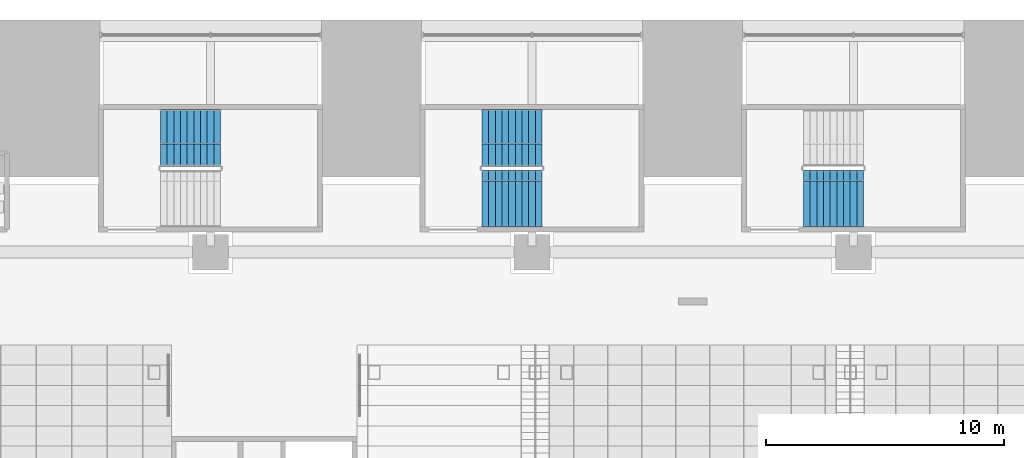
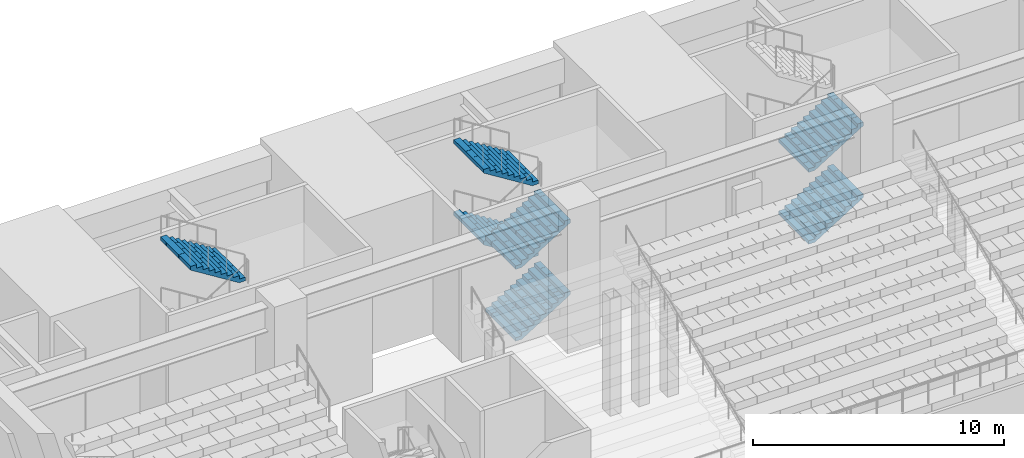
# One storey, part 50 of 62: 7 stair flights, 3 elements without a shape of their own.
"""IFC4 building model written with IfcOpenShell, lengths in metres."""

import ifcopenshell
import ifcopenshell.guid

model = None  # the IFC model being written
_history = None  # IfcOwnerHistory: only IFC2X3 demands one
_inside = {}  # id of a spatial element -> (the spatial element, [elements in it])
_under = {}  # id of a project, library or spatial element -> (it, [spatial elements below it])
_declared = {}  # id of a project -> (the project, [libraries it declares])
_typed = {}  # id of a type object -> (the type object, [elements of that type])
_made_of = {}  # id of a material, layer set ... -> (it, [elements and type objects made of it])


def new_model(schema):
    """Start an empty IFC model of exactly this schema.

    Asked for "IFC4X3", IfcOpenShell would pick the latest addendum, in which some entities
    have other attributes; the version numbers below select the first issue.
    IFC2X3 requires an IfcOwnerHistory on every rooted entity: one is made here for all.
    """
    global model, _history
    if schema == "IFC4X3":
        model = ifcopenshell.file(schema_version=(4, 3, 0, 0))
    else:
        model = ifcopenshell.file(schema=schema)
    _inside.clear()
    _under.clear()
    _declared.clear()
    _typed.clear()
    _made_of.clear()
    _history = None
    if model.schema == "IFC2X3":
        org = make("IfcOrganization", Name="unknown")
        user = make(
            "IfcPersonAndOrganization",
            ThePerson=make("IfcPerson", FamilyName="unknown"),
            TheOrganization=org,
        )
        app = make(
            "IfcApplication",
            ApplicationDeveloper=org,
            Version="unknown",
            ApplicationFullName="unknown",
            ApplicationIdentifier="unknown",
        )
        _history = make(
            "IfcOwnerHistory",
            OwningUser=user,
            OwningApplication=app,
            ChangeAction="ADDED",
            CreationDate=0,
        )
    return model


def make(cls, **values):
    """One entity of the class cls with the attributes given. An attribute that is None is left unset."""
    return model.create_entity(
        cls, **{name: value for name, value in values.items() if value is not None}
    )


def rooted(cls, **values):
    """An entity with a GlobalId (a new one), such as an element, a storey or a relation."""
    return make(cls, GlobalId=ifcopenshell.guid.new(), OwnerHistory=_history, **values)


def si_unit(unit_type, name, prefix=None):
    """IfcSIUnit, for example si_unit("LENGTHUNIT", "METRE", prefix="MILLI")."""
    return make("IfcSIUnit", UnitType=unit_type, Prefix=prefix, Name=name)


def assignment(units):
    """IfcUnitAssignment: the units of a project."""
    return None if units is None else make("IfcUnitAssignment", Units=units)


def point(xyz):
    """IfcCartesianPoint."""
    return None if xyz is None else make("IfcCartesianPoint", Coordinates=xyz)


def direction(xyz):
    """IfcDirection."""
    return None if xyz is None else make("IfcDirection", DirectionRatios=xyz)


def frame(location, z_axis=None, x_axis=None):
    """IfcAxis2Placement3D, a coordinate frame: its origin and axes. An axis left out is left unset."""
    return make(
        "IfcAxis2Placement3D",
        Location=point(location),
        Axis=direction(z_axis),
        RefDirection=direction(x_axis),
    )


def origin():
    """The frame at (0, 0, 0) with its axes left unset."""
    return frame((0.0, 0.0, 0.0))


def place(relative_to, where):
    """IfcLocalPlacement: puts the frame where relative to a parent placement (None: the world)."""
    return make(
        "IfcLocalPlacement", PlacementRelTo=relative_to, RelativePlacement=where
    )


def context(
    kind, dimensions, precision=None, world=None, true_north=None, identifier=None
):
    """IfcGeometricRepresentationContext, for example the 3D "Model" context."""
    return make(
        "IfcGeometricRepresentationContext",
        ContextIdentifier=identifier,
        ContextType=kind,
        CoordinateSpaceDimension=dimensions,
        Precision=precision,
        WorldCoordinateSystem=world,
        TrueNorth=true_north,
    )


def subcontext(parent, identifier, kind, view, scale=None):
    """IfcGeometricRepresentationSubContext, for example "Body" below "Model"."""
    return make(
        "IfcGeometricRepresentationSubContext",
        ContextIdentifier=identifier,
        ContextType=kind,
        ParentContext=parent,
        TargetScale=scale,
        TargetView=view,
    )


def project(units=None, contexts=None):
    """IfcProject with its units and contexts."""
    return rooted(
        "IfcProject",
        Name="project",
        RepresentationContexts=contexts,
        UnitsInContext=assignment(units),
    )


def spatial(cls, under=None, at=None, **own):
    """A site, building, storey or space (cls), placed at a placement, below another one or the project."""
    s = rooted(cls, ObjectPlacement=at, **own)
    if under is not None:
        _under.setdefault(under.id(), (under, []))[1].append(s)
    return s


def polyline(points):
    """IfcPolyline through the points."""
    return make("IfcPolyline", Points=[point(p) for p in points])


def outline(outer, holes=None, kind="AREA"):
    """IfcArbitraryClosedProfileDef: a profile drawn as a closed curve; with holes, ...WithVoids."""
    if holes is None:
        return make("IfcArbitraryClosedProfileDef", ProfileType=kind, OuterCurve=outer)
    return make(
        "IfcArbitraryProfileDefWithVoids",
        ProfileType=kind,
        OuterCurve=outer,
        InnerCurves=holes,
    )


def extrude(swept, where, along, depth):
    """IfcExtrudedAreaSolid: the profile swept, set in the frame where, extruded along a direction by depth."""
    return make(
        "IfcExtrudedAreaSolid",
        SweptArea=swept,
        Position=where,
        ExtrudedDirection=direction(along),
        Depth=depth,
    )


def shape(context_of_items, identifier, shape_type, items):
    """IfcShapeRepresentation: the items that make up one representation, for example the "Body"."""
    return make(
        "IfcShapeRepresentation",
        ContextOfItems=context_of_items,
        RepresentationIdentifier=identifier,
        RepresentationType=shape_type,
        Items=items,
    )


def material(Name=None, Category=None):
    """IfcMaterial."""
    return make("IfcMaterial", Name=Name, Category=Category)


def made_of(thing, what):
    """Note that an element or type object is made of a material, layer set ...; save() writes the relation."""
    if what is not None:
        _made_of.setdefault(what.id(), (what, []))[1].append(thing)
    return thing


def type_object(cls, material=None, **own):
    """A type object (cls), such as IfcWallType, which elements share."""
    return made_of(rooted(cls, **own), material)


def element(
    cls,
    number,
    at=None,
    inside=None,
    cuts=None,
    type_object=None,
    material=None,
    context=None,
    identifier="Body",
    shape_type=None,
    held_by="IfcProductDefinitionShape",
    body=None,
    shapes=None,
    **own,
):
    """One element of the class cls, such as IfcWall. Its Tag is "e" and its number.

    at: its placement. inside: the storey or other place that contains it. cuts: it is an
    opening in that element (IfcRelVoidsElement). A single representation is given by context,
    identifier, shape_type and body (its items); several are given by shapes. held_by: the class
    of the entity that holds the representations. save() writes the other relations.
    """
    e = rooted(cls, Tag="e%d" % number, ObjectPlacement=at, **own)
    if body is not None:
        shapes = [shape(context, identifier, shape_type, body)]
    if shapes is not None:
        e.Representation = make(held_by, Representations=shapes)
    if inside is not None:
        _inside.setdefault(inside.id(), (inside, []))[1].append(e)
    if cuts is not None:
        rooted(
            "IfcRelVoidsElement", RelatingBuildingElement=cuts, RelatedOpeningElement=e
        )
    if type_object is not None:
        _typed.setdefault(type_object.id(), (type_object, []))[1].append(e)
    return made_of(e, material)


def aggregate(whole, parts):
    """IfcRelAggregates: a whole, such as a stair, and the parts it consists of."""
    return rooted("IfcRelAggregates", RelatingObject=whole, RelatedObjects=parts)


def save(model, path):
    """Write the relations noted so far, then the file.

    IfcRelAggregates (storeys below a building ...), IfcRelContainedInSpatialStructure (elements
    in a storey), IfcRelDefinesByType, IfcRelAssociatesMaterial and IfcRelDeclares: one each for
    every whole, place, type object, material and project.
    """
    for whole, parts in _under.values():
        aggregate(whole, parts)
    for where, things in _inside.values():
        rooted(
            "IfcRelContainedInSpatialStructure",
            RelatedElements=things,
            RelatingStructure=where,
        )
    for kind, things in _typed.values():
        rooted("IfcRelDefinesByType", RelatedObjects=things, RelatingType=kind)
    for what, things in _made_of.values():
        rooted("IfcRelAssociatesMaterial", RelatedObjects=things, RelatingMaterial=what)
    for by, libraries in _declared.values():
        rooted("IfcRelDeclares", RelatingContext=by, RelatedDefinitions=libraries)
    model.write(path)


model = new_model("IFC4")

# Units and contexts
model_context = context("Model", 3, precision=1e-05, world=origin(), true_north=direction((0.0, 1.0)))
body_context = subcontext(model_context, "Body", "Model", "MODEL_VIEW")
ifc_project = project(units=[si_unit("LENGTHUNIT", "METRE"), si_unit("AREAUNIT", "SQUARE_METRE"), si_unit("VOLUMEUNIT", "CUBIC_METRE"), si_unit("PLANEANGLEUNIT", "RADIAN"), si_unit("MASSUNIT", "GRAM", prefix="KILO")], contexts=[model_context])

# Site, building, storey
site_placement = place(None, origin())
site = spatial("IfcSite", under=ifc_project, at=site_placement, CompositionType="ELEMENT")
building_placement = place(site_placement, origin())
building = spatial("IfcBuilding", under=site, at=building_placement, Name="Corbelhall Arena Tower", CompositionType="ELEMENT")
storey_placement = place(building_placement, frame((0.0, 0.0, 12.0)))
storey = spatial("IfcBuildingStorey", under=building, at=storey_placement, Name="L01", CompositionType="ELEMENT", Elevation=12.0)

# Stair, stair flight
ifc_material = material(Name="Reinforced concrete C40/50", Category="concrete")
stair_type = type_object("IfcStairType", Name="AR-EXIT-STAIR", PredefinedType="HALF_TURN_STAIR", material=ifc_material)
stair_1_placement = place(storey_placement, origin())
stair_1 = element("IfcStair", 1, at=stair_1_placement, inside=storey, type_object=stair_type, Name="L01 exit stair AS9", PredefinedType="HALF_TURN_STAIR")
stair_flight_type = type_object("IfcStairFlightType", Name="AR-EXIT-FLIGHT", PredefinedType="STRAIGHT", material=ifc_material)
stair_flight_1_placement = place(storey_placement, frame((-19.830078125, 34.050048828125, 5.25), z_axis=(0.0, 0.0, 1.0), x_axis=(-1.0, 0.0, 0.0)))
stair_flight_1 = element("IfcStairFlight", 2, at=stair_flight_1_placement, type_object=stair_flight_type, Name="AS9 flight 4", NumberOfRisers=10, NumberOfTreads=9, PredefinedType="STRAIGHT", RiserHeight=0.175, TreadLength=0.28, context=body_context, shape_type="SweptSolid", body=[
    extrude(outline(polyline([(0.0, 0.0), (0.0, 0.175048828125), (0.280029296875, 0.175048828125), (0.280029296875, 0.35009765625), (0.56005859375, 0.35009765625), (0.56005859375, 0.52490234375), (0.840087890625, 0.52490234375), (0.840087890625, 0.699951171875), (1.1201171875, 0.699951171875), (1.1201171875, 0.875), (1.39990234375, 0.875), (1.39990234375, 1.050048828125), (1.679931640625, 1.050048828125), (1.679931640625, 1.22509765625), (1.9599609375, 1.22509765625), (1.9599609375, 1.39990234375), (2.239990234375, 1.39990234375), (2.239990234375, 1.574951171875), (2.52001953125, 1.574951171875), (2.52001953125, 1.75), (2.52001953125, 1.398193359375), (0.28271484375, 0.0), (0.0, 0.0)])), frame((0.0, 1.199951171875, 0.0), z_axis=(0.0, -1.0, 0.0), x_axis=(1.0, 0.0, 0.0)), (0.0, 0.0, 1.0), 0.449951171875),
    extrude(outline(polyline([(0.0, 0.0), (0.0, 0.175048828125), (0.280029296875, 0.175048828125), (0.280029296875, 0.35009765625), (0.56005859375, 0.35009765625), (0.56005859375, 0.52490234375), (0.840087890625, 0.52490234375), (0.840087890625, 0.699951171875), (1.1201171875, 0.699951171875), (1.1201171875, 0.875), (1.39990234375, 0.875), (1.39990234375, 1.050048828125), (1.679931640625, 1.050048828125), (1.679931640625, 1.22509765625), (1.9599609375, 1.22509765625), (1.9599609375, 1.39990234375), (2.239990234375, 1.39990234375), (2.239990234375, 1.574951171875), (2.52001953125, 1.574951171875), (2.52001953125, 1.75), (2.52001953125, 1.398193359375), (0.28271484375, 0.0), (0.0, 0.0)])), frame((0.0, 0.745849609375, 0.0), z_axis=(0.0, -1.0, 0.0), x_axis=(1.0, 0.0, 0.0)), (0.0, 0.0, 1.0), 0.49462890625),
    extrude(outline(polyline([(0.0, 0.0), (0.0, 0.175048828125), (0.280029296875, 0.175048828125), (0.280029296875, 0.35009765625), (0.56005859375, 0.35009765625), (0.56005859375, 0.52490234375), (0.840087890625, 0.52490234375), (0.840087890625, 0.699951171875), (1.1201171875, 0.699951171875), (1.1201171875, 0.875), (1.39990234375, 0.875), (1.39990234375, 1.050048828125), (1.679931640625, 1.050048828125), (1.679931640625, 1.22509765625), (1.9599609375, 1.22509765625), (1.9599609375, 1.39990234375), (2.239990234375, 1.39990234375), (2.239990234375, 1.574951171875), (2.52001953125, 1.574951171875), (2.52001953125, 1.75), (2.52001953125, 1.398193359375), (0.28271484375, 0.0), (0.0, 0.0)])), frame((0.0, 0.247314453125, 0.0), z_axis=(0.0, -1.0, 0.0), x_axis=(1.0, 0.0, 0.0)), (0.0, 0.0, 1.0), 0.49462890625),
    extrude(outline(polyline([(0.0, 0.0), (0.0, 0.175048828125), (0.280029296875, 0.175048828125), (0.280029296875, 0.35009765625), (0.56005859375, 0.35009765625), (0.56005859375, 0.52490234375), (0.840087890625, 0.52490234375), (0.840087890625, 0.699951171875), (1.1201171875, 0.699951171875), (1.1201171875, 0.875), (1.39990234375, 0.875), (1.39990234375, 1.050048828125), (1.679931640625, 1.050048828125), (1.679931640625, 1.22509765625), (1.9599609375, 1.22509765625), (1.9599609375, 1.39990234375), (2.239990234375, 1.39990234375), (2.239990234375, 1.574951171875), (2.52001953125, 1.574951171875), (2.52001953125, 1.75), (2.52001953125, 1.398193359375), (0.28271484375, 0.0), (0.0, 0.0)])), frame((0.0, -0.251220703125, 0.0), z_axis=(0.0, -1.0, 0.0), x_axis=(1.0, 0.0, 0.0)), (0.0, 0.0, 1.0), 0.49462890625),
    extrude(outline(polyline([(0.0, 0.0), (0.0, 0.175048828125), (0.280029296875, 0.175048828125), (0.280029296875, 0.35009765625), (0.56005859375, 0.35009765625), (0.56005859375, 0.52490234375), (0.840087890625, 0.52490234375), (0.840087890625, 0.699951171875), (1.1201171875, 0.699951171875), (1.1201171875, 0.875), (1.39990234375, 0.875), (1.39990234375, 1.050048828125), (1.679931640625, 1.050048828125), (1.679931640625, 1.22509765625), (1.9599609375, 1.22509765625), (1.9599609375, 1.39990234375), (2.239990234375, 1.39990234375), (2.239990234375, 1.574951171875), (2.52001953125, 1.574951171875), (2.52001953125, 1.75), (2.52001953125, 1.398193359375), (0.28271484375, 0.0), (0.0, 0.0)])), frame((0.0, -0.75, 0.0), z_axis=(0.0, -1.0, 0.0), x_axis=(1.0, 0.0, 0.0)), (0.0, 0.0, 1.0), 0.449951171875),
])
aggregate(stair_1, [stair_flight_1])

# Stair, stair flights
stair_2_placement = place(storey_placement, origin())
stair_2 = element("IfcStair", 3, at=stair_2_placement, inside=storey, type_object=stair_type, Name="L01 exit stair AS10", PredefinedType="HALF_TURN_STAIR")
stair_flight_2_placement = place(storey_placement, frame((-8.85009765625, 31.5, 0.0), z_axis=(0.0, 0.0, 1.0), x_axis=(1.0, 0.0, 0.0)))
stair_flight_2 = element("IfcStairFlight", 4, at=stair_flight_2_placement, type_object=stair_flight_type, Name="AS10 flight 1", NumberOfRisers=10, NumberOfTreads=9, PredefinedType="STRAIGHT", RiserHeight=0.175, TreadLength=0.28, context=body_context, shape_type="SweptSolid", body=[
    extrude(outline(polyline([(0.0, 0.0), (0.0, 0.175048828125), (0.280029296875, 0.175048828125), (0.280029296875, 0.35009765625), (0.56005859375, 0.35009765625), (0.56005859375, 0.52490234375), (0.840087890625, 0.52490234375), (0.840087890625, 0.699951171875), (1.1201171875, 0.699951171875), (1.1201171875, 0.875), (1.39990234375, 0.875), (1.39990234375, 1.050048828125), (1.679931640625, 1.050048828125), (1.679931640625, 1.22509765625), (1.9599609375, 1.22509765625), (1.9599609375, 1.39990234375), (2.239990234375, 1.39990234375), (2.239990234375, 1.574951171875), (2.52001953125, 1.574951171875), (2.52001953125, 1.75), (2.52001953125, 1.398193359375), (0.28271484375, 0.0), (0.0, 0.0)])), frame((0.0, 1.199951171875, 0.0), z_axis=(0.0, -1.0, 0.0), x_axis=(1.0, 0.0, 0.0)), (0.0, 0.0, 1.0), 0.449951171875),
    extrude(outline(polyline([(0.0, 0.0), (0.0, 0.175048828125), (0.280029296875, 0.175048828125), (0.280029296875, 0.35009765625), (0.56005859375, 0.35009765625), (0.56005859375, 0.52490234375), (0.840087890625, 0.52490234375), (0.840087890625, 0.699951171875), (1.1201171875, 0.699951171875), (1.1201171875, 0.875), (1.39990234375, 0.875), (1.39990234375, 1.050048828125), (1.679931640625, 1.050048828125), (1.679931640625, 1.22509765625), (1.9599609375, 1.22509765625), (1.9599609375, 1.39990234375), (2.239990234375, 1.39990234375), (2.239990234375, 1.574951171875), (2.52001953125, 1.574951171875), (2.52001953125, 1.75), (2.52001953125, 1.398193359375), (0.28271484375, 0.0), (0.0, 0.0)])), frame((0.0, 0.745849609375, 0.0), z_axis=(0.0, -1.0, 0.0), x_axis=(1.0, 0.0, 0.0)), (0.0, 0.0, 1.0), 0.49462890625),
    extrude(outline(polyline([(0.0, 0.0), (0.0, 0.175048828125), (0.280029296875, 0.175048828125), (0.280029296875, 0.35009765625), (0.56005859375, 0.35009765625), (0.56005859375, 0.52490234375), (0.840087890625, 0.52490234375), (0.840087890625, 0.699951171875), (1.1201171875, 0.699951171875), (1.1201171875, 0.875), (1.39990234375, 0.875), (1.39990234375, 1.050048828125), (1.679931640625, 1.050048828125), (1.679931640625, 1.22509765625), (1.9599609375, 1.22509765625), (1.9599609375, 1.39990234375), (2.239990234375, 1.39990234375), (2.239990234375, 1.574951171875), (2.52001953125, 1.574951171875), (2.52001953125, 1.75), (2.52001953125, 1.398193359375), (0.28271484375, 0.0), (0.0, 0.0)])), frame((0.0, 0.247314453125, 0.0), z_axis=(0.0, -1.0, 0.0), x_axis=(1.0, 0.0, 0.0)), (0.0, 0.0, 1.0), 0.49462890625),
    extrude(outline(polyline([(0.0, 0.0), (0.0, 0.175048828125), (0.280029296875, 0.175048828125), (0.280029296875, 0.35009765625), (0.56005859375, 0.35009765625), (0.56005859375, 0.52490234375), (0.840087890625, 0.52490234375), (0.840087890625, 0.699951171875), (1.1201171875, 0.699951171875), (1.1201171875, 0.875), (1.39990234375, 0.875), (1.39990234375, 1.050048828125), (1.679931640625, 1.050048828125), (1.679931640625, 1.22509765625), (1.9599609375, 1.22509765625), (1.9599609375, 1.39990234375), (2.239990234375, 1.39990234375), (2.239990234375, 1.574951171875), (2.52001953125, 1.574951171875), (2.52001953125, 1.75), (2.52001953125, 1.398193359375), (0.28271484375, 0.0), (0.0, 0.0)])), frame((0.0, -0.251220703125, 0.0), z_axis=(0.0, -1.0, 0.0), x_axis=(1.0, 0.0, 0.0)), (0.0, 0.0, 1.0), 0.49462890625),
    extrude(outline(polyline([(0.0, 0.0), (0.0, 0.175048828125), (0.280029296875, 0.175048828125), (0.280029296875, 0.35009765625), (0.56005859375, 0.35009765625), (0.56005859375, 0.52490234375), (0.840087890625, 0.52490234375), (0.840087890625, 0.699951171875), (1.1201171875, 0.699951171875), (1.1201171875, 0.875), (1.39990234375, 0.875), (1.39990234375, 1.050048828125), (1.679931640625, 1.050048828125), (1.679931640625, 1.22509765625), (1.9599609375, 1.22509765625), (1.9599609375, 1.39990234375), (2.239990234375, 1.39990234375), (2.239990234375, 1.574951171875), (2.52001953125, 1.574951171875), (2.52001953125, 1.75), (2.52001953125, 1.398193359375), (0.28271484375, 0.0), (0.0, 0.0)])), frame((0.0, -0.75, 0.0), z_axis=(0.0, -1.0, 0.0), x_axis=(1.0, 0.0, 0.0)), (0.0, 0.0, 1.0), 0.449951171875),
])
stair_flight_3_placement = place(storey_placement, frame((-6.330078125, 34.050048828125, 1.75), z_axis=(0.0, 0.0, 1.0), x_axis=(-1.0, 0.0, 0.0)))
stair_flight_3 = element("IfcStairFlight", 5, at=stair_flight_3_placement, type_object=stair_flight_type, Name="AS10 flight 2", NumberOfRisers=10, NumberOfTreads=9, PredefinedType="STRAIGHT", RiserHeight=0.175, TreadLength=0.28, context=body_context, shape_type="SweptSolid", body=[
    extrude(outline(polyline([(0.0, 0.0), (0.0, 0.175048828125), (0.280029296875, 0.175048828125), (0.280029296875, 0.35009765625), (0.56005859375, 0.35009765625), (0.56005859375, 0.52490234375), (0.840087890625, 0.52490234375), (0.840087890625, 0.699951171875), (1.1201171875, 0.699951171875), (1.1201171875, 0.875), (1.39990234375, 0.875), (1.39990234375, 1.050048828125), (1.679931640625, 1.050048828125), (1.679931640625, 1.22509765625), (1.9599609375, 1.22509765625), (1.9599609375, 1.39990234375), (2.239990234375, 1.39990234375), (2.239990234375, 1.574951171875), (2.52001953125, 1.574951171875), (2.52001953125, 1.75), (2.52001953125, 1.398193359375), (0.28271484375, 0.0), (0.0, 0.0)])), frame((0.0, 1.199951171875, 0.0), z_axis=(0.0, -1.0, 0.0), x_axis=(1.0, 0.0, 0.0)), (0.0, 0.0, 1.0), 0.449951171875),
    extrude(outline(polyline([(0.0, 0.0), (0.0, 0.175048828125), (0.280029296875, 0.175048828125), (0.280029296875, 0.35009765625), (0.56005859375, 0.35009765625), (0.56005859375, 0.52490234375), (0.840087890625, 0.52490234375), (0.840087890625, 0.699951171875), (1.1201171875, 0.699951171875), (1.1201171875, 0.875), (1.39990234375, 0.875), (1.39990234375, 1.050048828125), (1.679931640625, 1.050048828125), (1.679931640625, 1.22509765625), (1.9599609375, 1.22509765625), (1.9599609375, 1.39990234375), (2.239990234375, 1.39990234375), (2.239990234375, 1.574951171875), (2.52001953125, 1.574951171875), (2.52001953125, 1.75), (2.52001953125, 1.398193359375), (0.28271484375, 0.0), (0.0, 0.0)])), frame((0.0, 0.745849609375, 0.0), z_axis=(0.0, -1.0, 0.0), x_axis=(1.0, 0.0, 0.0)), (0.0, 0.0, 1.0), 0.49462890625),
    extrude(outline(polyline([(0.0, 0.0), (0.0, 0.175048828125), (0.280029296875, 0.175048828125), (0.280029296875, 0.35009765625), (0.56005859375, 0.35009765625), (0.56005859375, 0.52490234375), (0.840087890625, 0.52490234375), (0.840087890625, 0.699951171875), (1.1201171875, 0.699951171875), (1.1201171875, 0.875), (1.39990234375, 0.875), (1.39990234375, 1.050048828125), (1.679931640625, 1.050048828125), (1.679931640625, 1.22509765625), (1.9599609375, 1.22509765625), (1.9599609375, 1.39990234375), (2.239990234375, 1.39990234375), (2.239990234375, 1.574951171875), (2.52001953125, 1.574951171875), (2.52001953125, 1.75), (2.52001953125, 1.398193359375), (0.28271484375, 0.0), (0.0, 0.0)])), frame((0.0, 0.247314453125, 0.0), z_axis=(0.0, -1.0, 0.0), x_axis=(1.0, 0.0, 0.0)), (0.0, 0.0, 1.0), 0.49462890625),
    extrude(outline(polyline([(0.0, 0.0), (0.0, 0.175048828125), (0.280029296875, 0.175048828125), (0.280029296875, 0.35009765625), (0.56005859375, 0.35009765625), (0.56005859375, 0.52490234375), (0.840087890625, 0.52490234375), (0.840087890625, 0.699951171875), (1.1201171875, 0.699951171875), (1.1201171875, 0.875), (1.39990234375, 0.875), (1.39990234375, 1.050048828125), (1.679931640625, 1.050048828125), (1.679931640625, 1.22509765625), (1.9599609375, 1.22509765625), (1.9599609375, 1.39990234375), (2.239990234375, 1.39990234375), (2.239990234375, 1.574951171875), (2.52001953125, 1.574951171875), (2.52001953125, 1.75), (2.52001953125, 1.398193359375), (0.28271484375, 0.0), (0.0, 0.0)])), frame((0.0, -0.251220703125, 0.0), z_axis=(0.0, -1.0, 0.0), x_axis=(1.0, 0.0, 0.0)), (0.0, 0.0, 1.0), 0.49462890625),
    extrude(outline(polyline([(0.0, 0.0), (0.0, 0.175048828125), (0.280029296875, 0.175048828125), (0.280029296875, 0.35009765625), (0.56005859375, 0.35009765625), (0.56005859375, 0.52490234375), (0.840087890625, 0.52490234375), (0.840087890625, 0.699951171875), (1.1201171875, 0.699951171875), (1.1201171875, 0.875), (1.39990234375, 0.875), (1.39990234375, 1.050048828125), (1.679931640625, 1.050048828125), (1.679931640625, 1.22509765625), (1.9599609375, 1.22509765625), (1.9599609375, 1.39990234375), (2.239990234375, 1.39990234375), (2.239990234375, 1.574951171875), (2.52001953125, 1.574951171875), (2.52001953125, 1.75), (2.52001953125, 1.398193359375), (0.28271484375, 0.0), (0.0, 0.0)])), frame((0.0, -0.75, 0.0), z_axis=(0.0, -1.0, 0.0), x_axis=(1.0, 0.0, 0.0)), (0.0, 0.0, 1.0), 0.449951171875),
])
stair_flight_4_placement = place(storey_placement, frame((-8.85009765625, 31.5, 3.5), z_axis=(0.0, 0.0, 1.0), x_axis=(1.0, 0.0, 0.0)))
stair_flight_4 = element("IfcStairFlight", 6, at=stair_flight_4_placement, type_object=stair_flight_type, Name="AS10 flight 3", NumberOfRisers=10, NumberOfTreads=9, PredefinedType="STRAIGHT", RiserHeight=0.175, TreadLength=0.28, context=body_context, shape_type="SweptSolid", body=[
    extrude(outline(polyline([(0.0, 0.0), (0.0, 0.175048828125), (0.280029296875, 0.175048828125), (0.280029296875, 0.35009765625), (0.56005859375, 0.35009765625), (0.56005859375, 0.52490234375), (0.840087890625, 0.52490234375), (0.840087890625, 0.699951171875), (1.1201171875, 0.699951171875), (1.1201171875, 0.875), (1.39990234375, 0.875), (1.39990234375, 1.050048828125), (1.679931640625, 1.050048828125), (1.679931640625, 1.22509765625), (1.9599609375, 1.22509765625), (1.9599609375, 1.39990234375), (2.239990234375, 1.39990234375), (2.239990234375, 1.574951171875), (2.52001953125, 1.574951171875), (2.52001953125, 1.75), (2.52001953125, 1.398193359375), (0.28271484375, 0.0), (0.0, 0.0)])), frame((0.0, 1.199951171875, 0.0), z_axis=(0.0, -1.0, 0.0), x_axis=(1.0, 0.0, 0.0)), (0.0, 0.0, 1.0), 0.449951171875),
    extrude(outline(polyline([(0.0, 0.0), (0.0, 0.175048828125), (0.280029296875, 0.175048828125), (0.280029296875, 0.35009765625), (0.56005859375, 0.35009765625), (0.56005859375, 0.52490234375), (0.840087890625, 0.52490234375), (0.840087890625, 0.699951171875), (1.1201171875, 0.699951171875), (1.1201171875, 0.875), (1.39990234375, 0.875), (1.39990234375, 1.050048828125), (1.679931640625, 1.050048828125), (1.679931640625, 1.22509765625), (1.9599609375, 1.22509765625), (1.9599609375, 1.39990234375), (2.239990234375, 1.39990234375), (2.239990234375, 1.574951171875), (2.52001953125, 1.574951171875), (2.52001953125, 1.75), (2.52001953125, 1.398193359375), (0.28271484375, 0.0), (0.0, 0.0)])), frame((0.0, 0.745849609375, 0.0), z_axis=(0.0, -1.0, 0.0), x_axis=(1.0, 0.0, 0.0)), (0.0, 0.0, 1.0), 0.49462890625),
    extrude(outline(polyline([(0.0, 0.0), (0.0, 0.175048828125), (0.280029296875, 0.175048828125), (0.280029296875, 0.35009765625), (0.56005859375, 0.35009765625), (0.56005859375, 0.52490234375), (0.840087890625, 0.52490234375), (0.840087890625, 0.699951171875), (1.1201171875, 0.699951171875), (1.1201171875, 0.875), (1.39990234375, 0.875), (1.39990234375, 1.050048828125), (1.679931640625, 1.050048828125), (1.679931640625, 1.22509765625), (1.9599609375, 1.22509765625), (1.9599609375, 1.39990234375), (2.239990234375, 1.39990234375), (2.239990234375, 1.574951171875), (2.52001953125, 1.574951171875), (2.52001953125, 1.75), (2.52001953125, 1.398193359375), (0.28271484375, 0.0), (0.0, 0.0)])), frame((0.0, 0.247314453125, 0.0), z_axis=(0.0, -1.0, 0.0), x_axis=(1.0, 0.0, 0.0)), (0.0, 0.0, 1.0), 0.49462890625),
    extrude(outline(polyline([(0.0, 0.0), (0.0, 0.175048828125), (0.280029296875, 0.175048828125), (0.280029296875, 0.35009765625), (0.56005859375, 0.35009765625), (0.56005859375, 0.52490234375), (0.840087890625, 0.52490234375), (0.840087890625, 0.699951171875), (1.1201171875, 0.699951171875), (1.1201171875, 0.875), (1.39990234375, 0.875), (1.39990234375, 1.050048828125), (1.679931640625, 1.050048828125), (1.679931640625, 1.22509765625), (1.9599609375, 1.22509765625), (1.9599609375, 1.39990234375), (2.239990234375, 1.39990234375), (2.239990234375, 1.574951171875), (2.52001953125, 1.574951171875), (2.52001953125, 1.75), (2.52001953125, 1.398193359375), (0.28271484375, 0.0), (0.0, 0.0)])), frame((0.0, -0.251220703125, 0.0), z_axis=(0.0, -1.0, 0.0), x_axis=(1.0, 0.0, 0.0)), (0.0, 0.0, 1.0), 0.49462890625),
    extrude(outline(polyline([(0.0, 0.0), (0.0, 0.175048828125), (0.280029296875, 0.175048828125), (0.280029296875, 0.35009765625), (0.56005859375, 0.35009765625), (0.56005859375, 0.52490234375), (0.840087890625, 0.52490234375), (0.840087890625, 0.699951171875), (1.1201171875, 0.699951171875), (1.1201171875, 0.875), (1.39990234375, 0.875), (1.39990234375, 1.050048828125), (1.679931640625, 1.050048828125), (1.679931640625, 1.22509765625), (1.9599609375, 1.22509765625), (1.9599609375, 1.39990234375), (2.239990234375, 1.39990234375), (2.239990234375, 1.574951171875), (2.52001953125, 1.574951171875), (2.52001953125, 1.75), (2.52001953125, 1.398193359375), (0.28271484375, 0.0), (0.0, 0.0)])), frame((0.0, -0.75, 0.0), z_axis=(0.0, -1.0, 0.0), x_axis=(1.0, 0.0, 0.0)), (0.0, 0.0, 1.0), 0.449951171875),
])
stair_flight_5_placement = place(storey_placement, frame((-6.330078125, 34.050048828125, 5.25), z_axis=(0.0, 0.0, 1.0), x_axis=(-1.0, 0.0, 0.0)))
stair_flight_5 = element("IfcStairFlight", 7, at=stair_flight_5_placement, type_object=stair_flight_type, Name="AS10 flight 4", NumberOfRisers=10, NumberOfTreads=9, PredefinedType="STRAIGHT", RiserHeight=0.175, TreadLength=0.28, context=body_context, shape_type="SweptSolid", body=[
    extrude(outline(polyline([(0.0, 0.0), (0.0, 0.175048828125), (0.280029296875, 0.175048828125), (0.280029296875, 0.35009765625), (0.56005859375, 0.35009765625), (0.56005859375, 0.52490234375), (0.840087890625, 0.52490234375), (0.840087890625, 0.699951171875), (1.1201171875, 0.699951171875), (1.1201171875, 0.875), (1.39990234375, 0.875), (1.39990234375, 1.050048828125), (1.679931640625, 1.050048828125), (1.679931640625, 1.22509765625), (1.9599609375, 1.22509765625), (1.9599609375, 1.39990234375), (2.239990234375, 1.39990234375), (2.239990234375, 1.574951171875), (2.52001953125, 1.574951171875), (2.52001953125, 1.75), (2.52001953125, 1.398193359375), (0.28271484375, 0.0), (0.0, 0.0)])), frame((0.0, 1.199951171875, 0.0), z_axis=(0.0, -1.0, 0.0), x_axis=(1.0, 0.0, 0.0)), (0.0, 0.0, 1.0), 0.449951171875),
    extrude(outline(polyline([(0.0, 0.0), (0.0, 0.175048828125), (0.280029296875, 0.175048828125), (0.280029296875, 0.35009765625), (0.56005859375, 0.35009765625), (0.56005859375, 0.52490234375), (0.840087890625, 0.52490234375), (0.840087890625, 0.699951171875), (1.1201171875, 0.699951171875), (1.1201171875, 0.875), (1.39990234375, 0.875), (1.39990234375, 1.050048828125), (1.679931640625, 1.050048828125), (1.679931640625, 1.22509765625), (1.9599609375, 1.22509765625), (1.9599609375, 1.39990234375), (2.239990234375, 1.39990234375), (2.239990234375, 1.574951171875), (2.52001953125, 1.574951171875), (2.52001953125, 1.75), (2.52001953125, 1.398193359375), (0.28271484375, 0.0), (0.0, 0.0)])), frame((0.0, 0.745849609375, 0.0), z_axis=(0.0, -1.0, 0.0), x_axis=(1.0, 0.0, 0.0)), (0.0, 0.0, 1.0), 0.49462890625),
    extrude(outline(polyline([(0.0, 0.0), (0.0, 0.175048828125), (0.280029296875, 0.175048828125), (0.280029296875, 0.35009765625), (0.56005859375, 0.35009765625), (0.56005859375, 0.52490234375), (0.840087890625, 0.52490234375), (0.840087890625, 0.699951171875), (1.1201171875, 0.699951171875), (1.1201171875, 0.875), (1.39990234375, 0.875), (1.39990234375, 1.050048828125), (1.679931640625, 1.050048828125), (1.679931640625, 1.22509765625), (1.9599609375, 1.22509765625), (1.9599609375, 1.39990234375), (2.239990234375, 1.39990234375), (2.239990234375, 1.574951171875), (2.52001953125, 1.574951171875), (2.52001953125, 1.75), (2.52001953125, 1.398193359375), (0.28271484375, 0.0), (0.0, 0.0)])), frame((0.0, 0.247314453125, 0.0), z_axis=(0.0, -1.0, 0.0), x_axis=(1.0, 0.0, 0.0)), (0.0, 0.0, 1.0), 0.49462890625),
    extrude(outline(polyline([(0.0, 0.0), (0.0, 0.175048828125), (0.280029296875, 0.175048828125), (0.280029296875, 0.35009765625), (0.56005859375, 0.35009765625), (0.56005859375, 0.52490234375), (0.840087890625, 0.52490234375), (0.840087890625, 0.699951171875), (1.1201171875, 0.699951171875), (1.1201171875, 0.875), (1.39990234375, 0.875), (1.39990234375, 1.050048828125), (1.679931640625, 1.050048828125), (1.679931640625, 1.22509765625), (1.9599609375, 1.22509765625), (1.9599609375, 1.39990234375), (2.239990234375, 1.39990234375), (2.239990234375, 1.574951171875), (2.52001953125, 1.574951171875), (2.52001953125, 1.75), (2.52001953125, 1.398193359375), (0.28271484375, 0.0), (0.0, 0.0)])), frame((0.0, -0.251220703125, 0.0), z_axis=(0.0, -1.0, 0.0), x_axis=(1.0, 0.0, 0.0)), (0.0, 0.0, 1.0), 0.49462890625),
    extrude(outline(polyline([(0.0, 0.0), (0.0, 0.175048828125), (0.280029296875, 0.175048828125), (0.280029296875, 0.35009765625), (0.56005859375, 0.35009765625), (0.56005859375, 0.52490234375), (0.840087890625, 0.52490234375), (0.840087890625, 0.699951171875), (1.1201171875, 0.699951171875), (1.1201171875, 0.875), (1.39990234375, 0.875), (1.39990234375, 1.050048828125), (1.679931640625, 1.050048828125), (1.679931640625, 1.22509765625), (1.9599609375, 1.22509765625), (1.9599609375, 1.39990234375), (2.239990234375, 1.39990234375), (2.239990234375, 1.574951171875), (2.52001953125, 1.574951171875), (2.52001953125, 1.75), (2.52001953125, 1.398193359375), (0.28271484375, 0.0), (0.0, 0.0)])), frame((0.0, -0.75, 0.0), z_axis=(0.0, -1.0, 0.0), x_axis=(1.0, 0.0, 0.0)), (0.0, 0.0, 1.0), 0.449951171875),
])
aggregate(stair_2, [stair_flight_2, stair_flight_3, stair_flight_4, stair_flight_5])

stair_3_placement = place(storey_placement, origin())
stair_3 = element("IfcStair", 8, at=stair_3_placement, inside=storey, type_object=stair_type, Name="L01 exit stair AS11", PredefinedType="HALF_TURN_STAIR")
stair_flight_6_placement = place(storey_placement, frame((4.64990234375, 31.5, 0.0), z_axis=(0.0, 0.0, 1.0), x_axis=(1.0, 0.0, 0.0)))
stair_flight_6 = element("IfcStairFlight", 9, at=stair_flight_6_placement, type_object=stair_flight_type, Name="AS11 flight 1", NumberOfRisers=10, NumberOfTreads=9, PredefinedType="STRAIGHT", RiserHeight=0.175, TreadLength=0.28, context=body_context, shape_type="SweptSolid", body=[
    extrude(outline(polyline([(0.0, 0.0), (0.0, 0.175048828125), (0.280029296875, 0.175048828125), (0.280029296875, 0.35009765625), (0.56005859375, 0.35009765625), (0.56005859375, 0.52490234375), (0.840087890625, 0.52490234375), (0.840087890625, 0.699951171875), (1.1201171875, 0.699951171875), (1.1201171875, 0.875), (1.39990234375, 0.875), (1.39990234375, 1.050048828125), (1.679931640625, 1.050048828125), (1.679931640625, 1.22509765625), (1.9599609375, 1.22509765625), (1.9599609375, 1.39990234375), (2.239990234375, 1.39990234375), (2.239990234375, 1.574951171875), (2.52001953125, 1.574951171875), (2.52001953125, 1.75), (2.52001953125, 1.398193359375), (0.28271484375, 0.0), (0.0, 0.0)])), frame((0.0, 1.199951171875, 0.0), z_axis=(0.0, -1.0, 0.0), x_axis=(1.0, 0.0, 0.0)), (0.0, 0.0, 1.0), 0.449951171875),
    extrude(outline(polyline([(0.0, 0.0), (0.0, 0.175048828125), (0.280029296875, 0.175048828125), (0.280029296875, 0.35009765625), (0.56005859375, 0.35009765625), (0.56005859375, 0.52490234375), (0.840087890625, 0.52490234375), (0.840087890625, 0.699951171875), (1.1201171875, 0.699951171875), (1.1201171875, 0.875), (1.39990234375, 0.875), (1.39990234375, 1.050048828125), (1.679931640625, 1.050048828125), (1.679931640625, 1.22509765625), (1.9599609375, 1.22509765625), (1.9599609375, 1.39990234375), (2.239990234375, 1.39990234375), (2.239990234375, 1.574951171875), (2.52001953125, 1.574951171875), (2.52001953125, 1.75), (2.52001953125, 1.398193359375), (0.28271484375, 0.0), (0.0, 0.0)])), frame((0.0, 0.745849609375, 0.0), z_axis=(0.0, -1.0, 0.0), x_axis=(1.0, 0.0, 0.0)), (0.0, 0.0, 1.0), 0.49462890625),
    extrude(outline(polyline([(0.0, 0.0), (0.0, 0.175048828125), (0.280029296875, 0.175048828125), (0.280029296875, 0.35009765625), (0.56005859375, 0.35009765625), (0.56005859375, 0.52490234375), (0.840087890625, 0.52490234375), (0.840087890625, 0.699951171875), (1.1201171875, 0.699951171875), (1.1201171875, 0.875), (1.39990234375, 0.875), (1.39990234375, 1.050048828125), (1.679931640625, 1.050048828125), (1.679931640625, 1.22509765625), (1.9599609375, 1.22509765625), (1.9599609375, 1.39990234375), (2.239990234375, 1.39990234375), (2.239990234375, 1.574951171875), (2.52001953125, 1.574951171875), (2.52001953125, 1.75), (2.52001953125, 1.398193359375), (0.28271484375, 0.0), (0.0, 0.0)])), frame((0.0, 0.247314453125, 0.0), z_axis=(0.0, -1.0, 0.0), x_axis=(1.0, 0.0, 0.0)), (0.0, 0.0, 1.0), 0.49462890625),
    extrude(outline(polyline([(0.0, 0.0), (0.0, 0.175048828125), (0.280029296875, 0.175048828125), (0.280029296875, 0.35009765625), (0.56005859375, 0.35009765625), (0.56005859375, 0.52490234375), (0.840087890625, 0.52490234375), (0.840087890625, 0.699951171875), (1.1201171875, 0.699951171875), (1.1201171875, 0.875), (1.39990234375, 0.875), (1.39990234375, 1.050048828125), (1.679931640625, 1.050048828125), (1.679931640625, 1.22509765625), (1.9599609375, 1.22509765625), (1.9599609375, 1.39990234375), (2.239990234375, 1.39990234375), (2.239990234375, 1.574951171875), (2.52001953125, 1.574951171875), (2.52001953125, 1.75), (2.52001953125, 1.398193359375), (0.28271484375, 0.0), (0.0, 0.0)])), frame((0.0, -0.251220703125, 0.0), z_axis=(0.0, -1.0, 0.0), x_axis=(1.0, 0.0, 0.0)), (0.0, 0.0, 1.0), 0.49462890625),
    extrude(outline(polyline([(0.0, 0.0), (0.0, 0.175048828125), (0.280029296875, 0.175048828125), (0.280029296875, 0.35009765625), (0.56005859375, 0.35009765625), (0.56005859375, 0.52490234375), (0.840087890625, 0.52490234375), (0.840087890625, 0.699951171875), (1.1201171875, 0.699951171875), (1.1201171875, 0.875), (1.39990234375, 0.875), (1.39990234375, 1.050048828125), (1.679931640625, 1.050048828125), (1.679931640625, 1.22509765625), (1.9599609375, 1.22509765625), (1.9599609375, 1.39990234375), (2.239990234375, 1.39990234375), (2.239990234375, 1.574951171875), (2.52001953125, 1.574951171875), (2.52001953125, 1.75), (2.52001953125, 1.398193359375), (0.28271484375, 0.0), (0.0, 0.0)])), frame((0.0, -0.75, 0.0), z_axis=(0.0, -1.0, 0.0), x_axis=(1.0, 0.0, 0.0)), (0.0, 0.0, 1.0), 0.449951171875),
])
stair_flight_7_placement = place(storey_placement, frame((4.64990234375, 31.5, 3.5), z_axis=(0.0, 0.0, 1.0), x_axis=(1.0, 0.0, 0.0)))
stair_flight_7 = element("IfcStairFlight", 10, at=stair_flight_7_placement, type_object=stair_flight_type, Name="AS11 flight 3", NumberOfRisers=10, NumberOfTreads=9, PredefinedType="STRAIGHT", RiserHeight=0.175, TreadLength=0.28, context=body_context, shape_type="SweptSolid", body=[
    extrude(outline(polyline([(0.0, 0.0), (0.0, 0.175048828125), (0.280029296875, 0.175048828125), (0.280029296875, 0.35009765625), (0.56005859375, 0.35009765625), (0.56005859375, 0.52490234375), (0.840087890625, 0.52490234375), (0.840087890625, 0.699951171875), (1.1201171875, 0.699951171875), (1.1201171875, 0.875), (1.39990234375, 0.875), (1.39990234375, 1.050048828125), (1.679931640625, 1.050048828125), (1.679931640625, 1.22509765625), (1.9599609375, 1.22509765625), (1.9599609375, 1.39990234375), (2.239990234375, 1.39990234375), (2.239990234375, 1.574951171875), (2.52001953125, 1.574951171875), (2.52001953125, 1.75), (2.52001953125, 1.398193359375), (0.28271484375, 0.0), (0.0, 0.0)])), frame((0.0, 1.199951171875, 0.0), z_axis=(0.0, -1.0, 0.0), x_axis=(1.0, 0.0, 0.0)), (0.0, 0.0, 1.0), 0.449951171875),
    extrude(outline(polyline([(0.0, 0.0), (0.0, 0.175048828125), (0.280029296875, 0.175048828125), (0.280029296875, 0.35009765625), (0.56005859375, 0.35009765625), (0.56005859375, 0.52490234375), (0.840087890625, 0.52490234375), (0.840087890625, 0.699951171875), (1.1201171875, 0.699951171875), (1.1201171875, 0.875), (1.39990234375, 0.875), (1.39990234375, 1.050048828125), (1.679931640625, 1.050048828125), (1.679931640625, 1.22509765625), (1.9599609375, 1.22509765625), (1.9599609375, 1.39990234375), (2.239990234375, 1.39990234375), (2.239990234375, 1.574951171875), (2.52001953125, 1.574951171875), (2.52001953125, 1.75), (2.52001953125, 1.398193359375), (0.28271484375, 0.0), (0.0, 0.0)])), frame((0.0, 0.745849609375, 0.0), z_axis=(0.0, -1.0, 0.0), x_axis=(1.0, 0.0, 0.0)), (0.0, 0.0, 1.0), 0.49462890625),
    extrude(outline(polyline([(0.0, 0.0), (0.0, 0.175048828125), (0.280029296875, 0.175048828125), (0.280029296875, 0.35009765625), (0.56005859375, 0.35009765625), (0.56005859375, 0.52490234375), (0.840087890625, 0.52490234375), (0.840087890625, 0.699951171875), (1.1201171875, 0.699951171875), (1.1201171875, 0.875), (1.39990234375, 0.875), (1.39990234375, 1.050048828125), (1.679931640625, 1.050048828125), (1.679931640625, 1.22509765625), (1.9599609375, 1.22509765625), (1.9599609375, 1.39990234375), (2.239990234375, 1.39990234375), (2.239990234375, 1.574951171875), (2.52001953125, 1.574951171875), (2.52001953125, 1.75), (2.52001953125, 1.398193359375), (0.28271484375, 0.0), (0.0, 0.0)])), frame((0.0, 0.247314453125, 0.0), z_axis=(0.0, -1.0, 0.0), x_axis=(1.0, 0.0, 0.0)), (0.0, 0.0, 1.0), 0.49462890625),
    extrude(outline(polyline([(0.0, 0.0), (0.0, 0.175048828125), (0.280029296875, 0.175048828125), (0.280029296875, 0.35009765625), (0.56005859375, 0.35009765625), (0.56005859375, 0.52490234375), (0.840087890625, 0.52490234375), (0.840087890625, 0.699951171875), (1.1201171875, 0.699951171875), (1.1201171875, 0.875), (1.39990234375, 0.875), (1.39990234375, 1.050048828125), (1.679931640625, 1.050048828125), (1.679931640625, 1.22509765625), (1.9599609375, 1.22509765625), (1.9599609375, 1.39990234375), (2.239990234375, 1.39990234375), (2.239990234375, 1.574951171875), (2.52001953125, 1.574951171875), (2.52001953125, 1.75), (2.52001953125, 1.398193359375), (0.28271484375, 0.0), (0.0, 0.0)])), frame((0.0, -0.251220703125, 0.0), z_axis=(0.0, -1.0, 0.0), x_axis=(1.0, 0.0, 0.0)), (0.0, 0.0, 1.0), 0.49462890625),
    extrude(outline(polyline([(0.0, 0.0), (0.0, 0.175048828125), (0.280029296875, 0.175048828125), (0.280029296875, 0.35009765625), (0.56005859375, 0.35009765625), (0.56005859375, 0.52490234375), (0.840087890625, 0.52490234375), (0.840087890625, 0.699951171875), (1.1201171875, 0.699951171875), (1.1201171875, 0.875), (1.39990234375, 0.875), (1.39990234375, 1.050048828125), (1.679931640625, 1.050048828125), (1.679931640625, 1.22509765625), (1.9599609375, 1.22509765625), (1.9599609375, 1.39990234375), (2.239990234375, 1.39990234375), (2.239990234375, 1.574951171875), (2.52001953125, 1.574951171875), (2.52001953125, 1.75), (2.52001953125, 1.398193359375), (0.28271484375, 0.0), (0.0, 0.0)])), frame((0.0, -0.75, 0.0), z_axis=(0.0, -1.0, 0.0), x_axis=(1.0, 0.0, 0.0)), (0.0, 0.0, 1.0), 0.449951171875),
])
aggregate(stair_3, [stair_flight_6, stair_flight_7])

save(model, "model.ifc")
